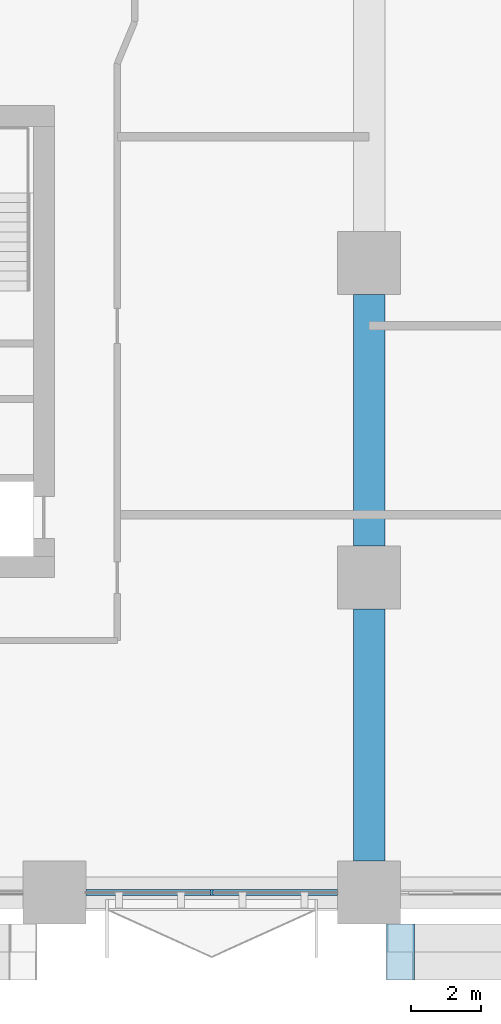
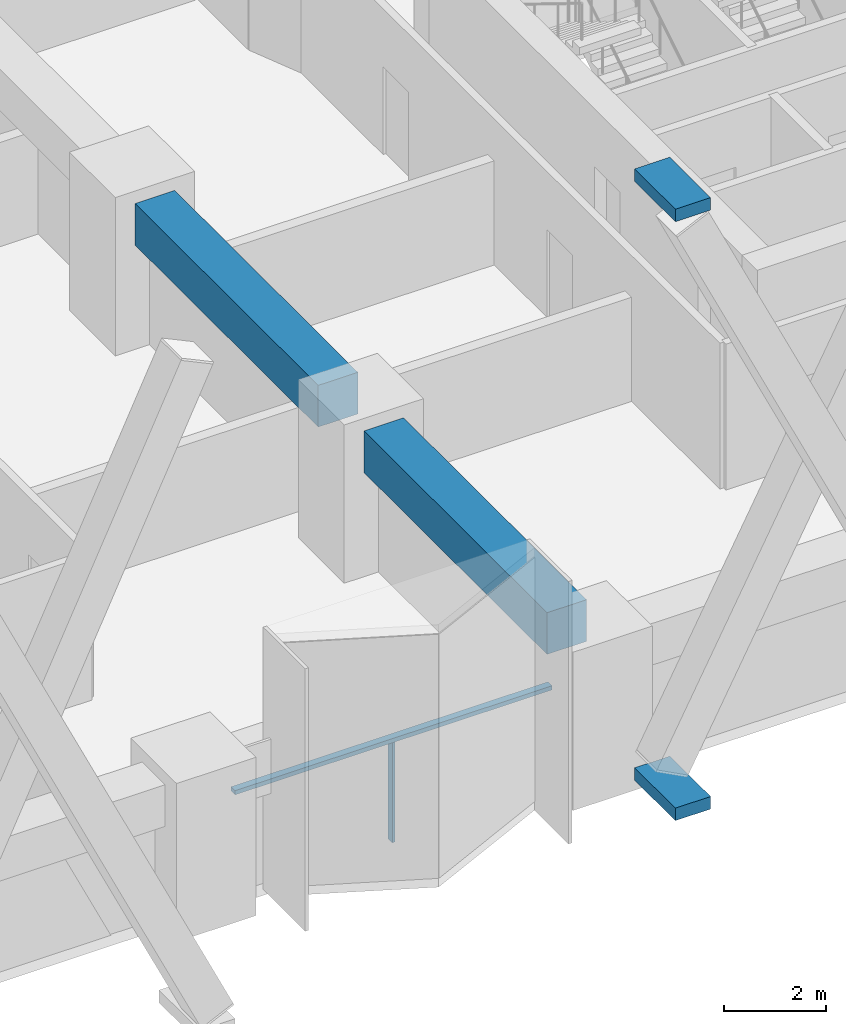
# One storey, part 3 of 26: 4 members, 2 beams, 1 element without a shape of its own.
"""IFC4 building model written with IfcOpenShell, lengths in metres."""

from ifc_helpers import new_model, si_unit, direction, frame, origin, origin_2d, place, context, subcontext, project, spatial, rectangle, extrude, material, layer, layer_set, material_profile, profile_set, type_object, element, aggregate, save


model = new_model("IFC4")

# Units and contexts
model_context = context("Model", 3, precision=1e-05, world=origin(), true_north=direction((0.0, 1.0)))
body_context = subcontext(model_context, "Body", "Model", "MODEL_VIEW")
ifc_project = project(units=[si_unit("LENGTHUNIT", "METRE"), si_unit("AREAUNIT", "SQUARE_METRE"), si_unit("VOLUMEUNIT", "CUBIC_METRE"), si_unit("PLANEANGLEUNIT", "RADIAN"), si_unit("MASSUNIT", "GRAM", prefix="KILO")], contexts=[model_context])

# Site, building, storey
site_placement = place(None, origin())
site = spatial("IfcSite", under=ifc_project, at=site_placement, CompositionType="ELEMENT")
building_placement = place(site_placement, origin())
building = spatial("IfcBuilding", under=site, at=building_placement, Name="Tessera Arch", CompositionType="ELEMENT")
storey_placement = place(building_placement, frame((0.0, 0.0, 31.0)))
storey = spatial("IfcBuildingStorey", under=building, at=storey_placement, Name="L05", CompositionType="ELEMENT", Elevation=31.0)

# Curtain wall, members
ifc_material_1 = material(Name="CW1 curtain wall")
curtain_wall_type = type_object("IfcCurtainWallType", Name="CW1 curtain wall", PredefinedType="NOTDEFINED", material=ifc_material_1)
curtain_wall_placement = place(storey_placement, origin())
curtain_wall = element("IfcCurtainWall", 1, at=curtain_wall_placement, inside=storey, type_object=curtain_wall_type, Name="CW1 curtain wall S0.0/1 L05", PredefinedType="NOTDEFINED")
ifc_material_2 = material(Name="Anodised aluminium pale metal", Category="aluminium")
ifc_material_profile_1 = material_profile(ifc_material_2, rectangle(XDim=0.159912109375, YDim=0.06005859375, at=origin_2d()), Name="AL 60x160")
ifc_profile_set_1 = profile_set([ifc_material_profile_1], Name="Anodised aluminium pale metal")
member_type_1 = type_object("IfcMemberType", Name="CW1 mullion", PredefinedType="MULLION", material=ifc_profile_set_1)
member_1_placement = place(storey_placement, frame((22.5, 0.0, 0.0), z_axis=(0.0, 0.0, 1.0), x_axis=(0.0, 1.0, 0.0)))
member_1 = element("IfcMember", 2, at=member_1_placement, type_object=member_type_1, Name="CW1 mullion S0.0/1 1", PredefinedType="MULLION", context=body_context, shape_type="SweptSolid", body=[
    extrude(rectangle(XDim=0.159912109375, YDim=0.06005859375, at=origin_2d()), origin(), (0.0, 0.0, 1.0), 2.39990234375),
])
ifc_material_3 = material(Name="Anodised aluminium pale metal", Category="aluminium")
ifc_material_profile_2 = material_profile(ifc_material_3, rectangle(XDim=0.159912109375, YDim=0.10009765625, at=origin_2d()), Name="AL 160x100")
ifc_profile_set_2 = profile_set([ifc_material_profile_2], Name="Anodised aluminium pale metal")
member_type_2 = type_object("IfcMemberType", Name="CW1 transom", PredefinedType="USERDEFINED", material=ifc_profile_set_2)
member_2_placement = place(storey_placement, frame((18.89990234375, 0.0, 2.449951171875), z_axis=(1.0, 0.0, 0.0), x_axis=(0.0, 1.0, 0.0)))
member_2 = element("IfcMember", 3, at=member_2_placement, type_object=member_type_2, Name="CW1 transom S0.0/1 1.1", ObjectType="TRANSOM", PredefinedType="USERDEFINED", context=body_context, shape_type="SweptSolid", body=[
    extrude(rectangle(XDim=0.159912109375, YDim=0.10009765625, at=origin_2d()), origin(), (0.0, 0.0, 1.0), 7.2001953125),
])
aggregate(curtain_wall, [member_1, member_2])

# Members
ifc_material_4 = material(Name="Steel A572 Gr50", Category="steel")
ifc_layer = layer(ifc_material_4, 0.050048828125)
ifc_layer_set = layer_set([ifc_layer], Name="Node block Steel A572 Gr50")
member_type_3 = type_object("IfcMemberType", Name="Node block Steel A572 Gr50", PredefinedType="PLATE", material=ifc_layer_set)
for number, where, z_axis, x_axis, name in (
    (4, (27.89990234375, -1.699951171875, 0.23876953125), (0.0, 0.0, 1.0), (1.0, 0.0, 0.0), "Node block seat S0.0-2 2 L05"),
    (5, (27.89990234375, -1.699951171875, 14.6162109375), (0.0, 0.0, 1.0), (1.0, 0.0, 0.0), "Node block head S0.0-2 B L05"),
):
    element("IfcMember", number, at=place(storey_placement, frame(where, z_axis=z_axis, x_axis=x_axis)), inside=storey, type_object=member_type_3, Name=name, PredefinedType="PLATE", context=body_context, shape_type="SweptSolid", body=[
        extrude(rectangle(XDim=0.800048828125, YDim=1.60009765625, at=origin_2d()), origin(), (0.0, 0.0, 1.0), 0.300048828125),
    ])

# Beams
ifc_material_5 = material(Name="Concrete C80/95", Category="concrete")
ifc_material_profile_3 = material_profile(ifc_material_5, rectangle(XDim=0.89990234375, YDim=1.0, at=origin_2d()), Name="RC spandrel beam 900 x 1000 Concrete C80/95")
ifc_profile_set_3 = profile_set([ifc_material_profile_3], Name="Concrete C80/95")
beam_type = type_object("IfcBeamType", Name="RC spandrel beam 900 x 1000 Concrete C80/95", PredefinedType="BEAM", material=ifc_profile_set_3)
for number, where, z_axis, x_axis, name in (
    (6, (27.0, 0.89990234375, 3.0), (0.0, 1.0, 0.0), (-1.0, 0.0, 0.0), "Interface beam L05 I0C4A-C4B"),
    (7, (27.0, 9.89990234375, 3.0), (0.0, 1.0, 0.0), (-1.0, 0.0, 0.0), "Interface beam L05 I0C4B-C4C"),
):
    element("IfcBeam", number, at=place(storey_placement, frame(where, z_axis=z_axis, x_axis=x_axis)), inside=storey, type_object=beam_type, Name=name, PredefinedType="BEAM", context=body_context, shape_type="SweptSolid", body=[
        extrude(rectangle(XDim=0.89990234375, YDim=1.0, at=origin_2d()), origin(), (0.0, 0.0, 1.0), 7.2001953125),
    ])

save(model, "model.ifc")
